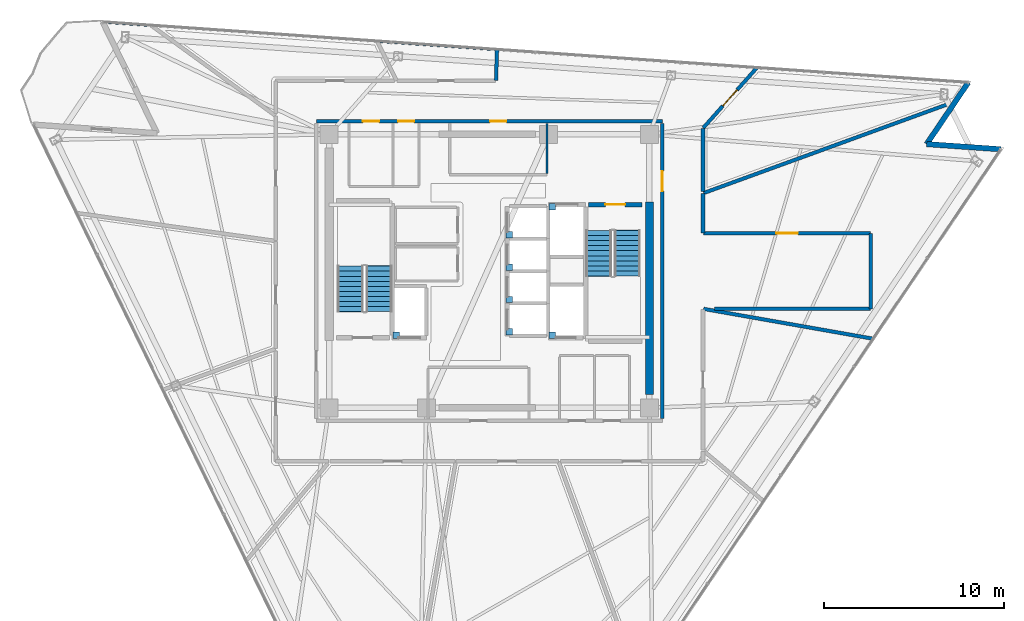
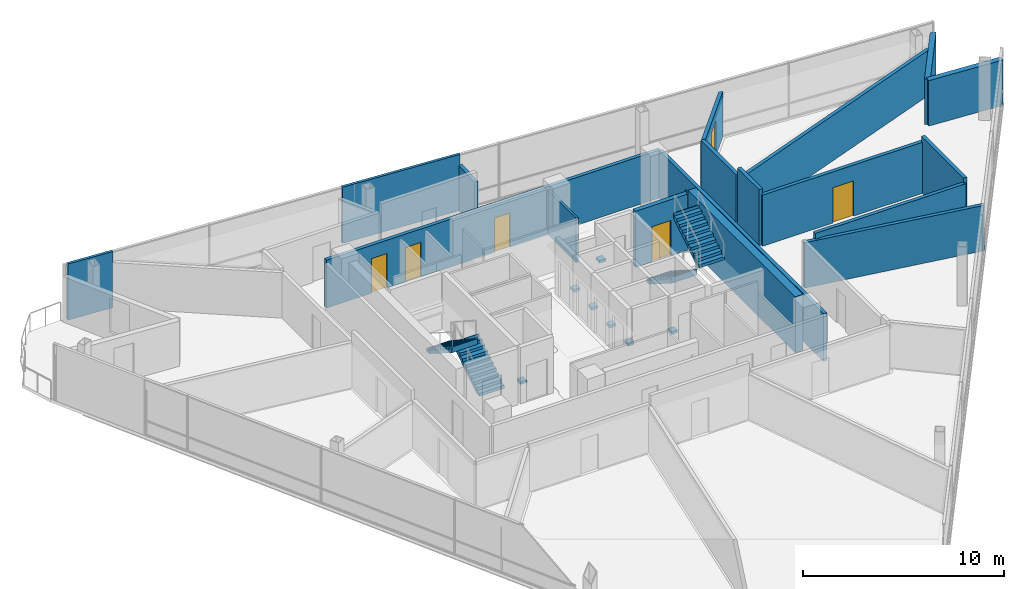
# One storey, part 11 of 14: 18 walls, 7 discrete accessories, 7 doors, 4 stair flights, 7 openings, 2 elements without a shape of their own.
"""IFC4 building model written with IfcOpenShell, lengths in metres."""

from ifc_helpers import new_model, si_unit, direction, frame, frame_2d, origin, origin_2d, place, context, subcontext, project, spatial, polyline, rectangle, outline, extrude, material, layer, layer_set, type_object, element, fill, aggregate, save


model = new_model("IFC4")

# Units and contexts
model_context = context("Model", 3, precision=1e-05, world=origin(), true_north=direction((0.0, 1.0)))
body_context = subcontext(model_context, "Body", "Model", "MODEL_VIEW")
ifc_project = project(units=[si_unit("LENGTHUNIT", "METRE"), si_unit("AREAUNIT", "SQUARE_METRE"), si_unit("VOLUMEUNIT", "CUBIC_METRE"), si_unit("PLANEANGLEUNIT", "RADIAN"), si_unit("MASSUNIT", "GRAM", prefix="KILO")], contexts=[model_context])

# Site, building, storey
site_placement = place(None, origin())
site = spatial("IfcSite", under=ifc_project, at=site_placement, CompositionType="ELEMENT")
building_placement = place(site_placement, origin())
building = spatial("IfcBuilding", under=site, at=building_placement, Name="Tharavind Bronze Gate", CompositionType="ELEMENT")
storey_placement = place(building_placement, frame((0.0, 0.0, 237.85009765625)))
storey = spatial("IfcBuildingStorey", under=building, at=storey_placement, Name="L61", CompositionType="ELEMENT", Elevation=237.85009765625)

# Walls
ifc_material_1 = material(Name="Concrete C40/50", Category="concrete")
ifc_layer_1 = layer(ifc_material_1, 0.300048828125)
ifc_layer_set_1 = layer_set([ifc_layer_1], Name="Concrete C40/50")
wall_type_1 = type_object("IfcWallType", Name="EXTERIOR SPANDREL WALL 300", PredefinedType="STANDARD", material=ifc_layer_set_1)
for number, where, z_axis, x_axis, name in (
    (1, (28.430419921875, 6.77001953125, 0.0), (0.0, 0.0, 1.0), (-0.997561808984, 0.069788518089, 0.0), "L61 notch cheek wall 3A"),
    (2, (24.3125, 7.05810546875, 0.0), (0.0, 0.0, 1.0), (0.559209737351, 0.829026217711, 0.0), "L61 notch cheek wall 3B"),
):
    element("IfcWall", number, at=place(storey_placement, frame(where, z_axis=z_axis, x_axis=x_axis)), inside=storey, type_object=wall_type_1, Name=name, PredefinedType="STANDARD", context=body_context, shape_type="SweptSolid", body=[
        extrude(rectangle(XDim=4.1279296875, YDim=0.300048828125, at=frame_2d((2.06396484375, 0.0))), origin(), (0.0, 0.0, 1.0), 2.764892578125),
    ])

# Wall, openings, doors
ifc_material_2 = material(Name="Aerated Concrete Block", Category="concrete")
ifc_layer_2 = layer(ifc_material_2, 0.199951171875)
ifc_layer_set_2 = layer_set([ifc_layer_2], Name="Aerated Concrete Block")
wall_type_2 = type_object("IfcWallType", Name="FIRE RATED PARTITION 200", PredefinedType="PARTITIONING", material=ifc_layer_set_2)
wall_1_placement = place(storey_placement, frame((9.6201171875, 8.320068359375, 0.0), z_axis=(0.0, 0.0, 1.0), x_axis=(-1.0, 0.0, 0.0)))
wall_1 = element("IfcWall", 3, at=wall_1_placement, inside=storey, type_object=wall_type_2, Name="L61 north core corridor wall", PredefinedType="PARTITIONING", context=body_context, shape_type="SweptSolid", body=[
    extrude(rectangle(XDim=19.240234375, YDim=0.199951171875, at=frame_2d((9.6201171875, 0.0))), origin(), (0.0, 0.0, 1.0), 2.914794921875),
])
opening_1_placement = place(wall_1_placement, frame((8.669921875, 0.0, 0.0)))
opening_1 = element("IfcOpeningElement", 4, at=opening_1_placement, cuts=wall_1, Name="Opening ID07", PredefinedType="OPENING", context=body_context, shape_type="SweptSolid", body=[
    extrude(rectangle(XDim=0.89990234375, YDim=2.10009765625, at=frame_2d((0.449951171875, 1.050048828125))), frame((0.0, 0.11009765625, 0.0), z_axis=(0.0, -1.0, 0.0), x_axis=(1.0, 0.0, 0.0)), (0.0, 0.0, 1.0), 0.219951171875),
])
opening_2_placement = place(wall_1_placement, frame((15.7451171875, 0.0, 0.0)))
opening_2 = element("IfcOpeningElement", 5, at=opening_2_placement, cuts=wall_1, Name="Opening ID07", PredefinedType="OPENING", context=body_context, shape_type="SweptSolid", body=[
    extrude(rectangle(XDim=0.89990234375, YDim=2.10009765625, at=frame_2d((0.449951171875, 1.050048828125))), frame((0.0, 0.11009765625, 0.0), z_axis=(0.0, -1.0, 0.0), x_axis=(1.0, 0.0, 0.0)), (0.0, 0.0, 1.0), 0.219951171875),
])
opening_3_placement = place(wall_1_placement, frame((13.794921875, 0.0, 0.0)))
opening_3 = element("IfcOpeningElement", 6, at=opening_3_placement, cuts=wall_1, Name="Opening ID07", PredefinedType="OPENING", context=body_context, shape_type="SweptSolid", body=[
    extrude(rectangle(XDim=0.89990234375, YDim=2.10009765625, at=frame_2d((0.449951171875, 1.050048828125))), frame((0.0, 0.11009765625, 0.0), z_axis=(0.0, -1.0, 0.0), x_axis=(1.0, 0.0, 0.0)), (0.0, 0.0, 1.0), 0.219951171875),
])
ifc_material_3 = material(Name="Galvanised Fire Steel", Category="steel")
door_type_1 = type_object("IfcDoorType", Name="PLANT AND RISER FIRE DOOR 900X2100", OperationType="SINGLE_SWING_LEFT", PredefinedType="DOOR", material=ifc_material_3)
door_1_placement = place(opening_1_placement, origin())
door_1 = element("IfcDoor", 7, at=door_1_placement, inside=storey, type_object=door_type_1, Name="L61 Core Avionics Room fire door", OperationType="SINGLE_SWING_LEFT", OverallHeight=2.10009765625, OverallWidth=0.89990234375, PredefinedType="DOOR", context=body_context, shape_type="SweptSolid", body=[
    extrude(rectangle(XDim=0.89990234375, YDim=2.10009765625, at=frame_2d((0.449951171875, 1.050048828125))), frame((0.0, 0.02490234375, 0.0), z_axis=(0.0, -1.0, 0.0), x_axis=(1.0, 0.0, 0.0)), (0.0, 0.0, 1.0), 0.050048828125),
])
fill(opening_1, door_1)
door_2_placement = place(opening_2_placement, origin())
door_2 = element("IfcDoor", 8, at=door_2_placement, inside=storey, type_object=door_type_1, Name="L61 Electrical Metering Room fire door", OperationType="SINGLE_SWING_LEFT", OverallHeight=2.10009765625, OverallWidth=0.89990234375, PredefinedType="DOOR", context=body_context, shape_type="SweptSolid", body=[
    extrude(rectangle(XDim=0.89990234375, YDim=2.10009765625, at=frame_2d((0.449951171875, 1.050048828125))), frame((0.0, 0.02490234375, 0.0), z_axis=(0.0, -1.0, 0.0), x_axis=(1.0, 0.0, 0.0)), (0.0, 0.0, 1.0), 0.050048828125),
])
fill(opening_2, door_2)
door_3_placement = place(opening_3_placement, origin())
door_3 = element("IfcDoor", 9, at=door_3_placement, inside=storey, type_object=door_type_1, Name="L61 Linen Cupboard fire door", OperationType="SINGLE_SWING_LEFT", OverallHeight=2.10009765625, OverallWidth=0.89990234375, PredefinedType="DOOR", context=body_context, shape_type="SweptSolid", body=[
    extrude(rectangle(XDim=0.89990234375, YDim=2.10009765625, at=frame_2d((0.449951171875, 1.050048828125))), frame((0.0, 0.02490234375, 0.0), z_axis=(0.0, -1.0, 0.0), x_axis=(1.0, 0.0, 0.0)), (0.0, 0.0, 1.0), 0.050048828125),
])
fill(opening_3, door_3)

# Wall, opening, door
wall_2_placement = place(storey_placement, frame((9.6201171875, -8.199951171875, 0.0), z_axis=(0.0, 0.0, 1.0), x_axis=(0.0, 1.0, 0.0)))
wall_2 = element("IfcWall", 10, at=wall_2_placement, inside=storey, type_object=wall_type_2, Name="L61 east core corridor wall", PredefinedType="PARTITIONING", context=body_context, shape_type="SweptSolid", body=[
    extrude(rectangle(XDim=16.39990234375, YDim=0.199951171875, at=frame_2d((8.199951171875, 0.0))), origin(), (0.0, 0.0, 1.0), 2.914794921875),
])
opening_4_placement = place(wall_2_placement, frame((12.64990234375, 0.0, 0.0)))
opening_4 = element("IfcOpeningElement", 11, at=opening_4_placement, cuts=wall_2, Name="Opening ID01", PredefinedType="OPENING", context=body_context, shape_type="SweptSolid", body=[
    extrude(rectangle(XDim=1.10009765625, YDim=2.14990234375, at=frame_2d((0.550048828125, 1.074951171875))), frame((0.0, 0.11009765625, 0.0), z_axis=(0.0, -1.0, 0.0), x_axis=(1.0, 0.0, 0.0)), (0.0, 0.0, 1.0), 0.219951171875),
])
ifc_material_4 = material(Name="Fire-Rated Steel", Category="steel")
door_type_2 = type_object("IfcDoorType", Name="STAIR CORE FIRE DOOR 1100X2150", OperationType="SINGLE_SWING_LEFT", PredefinedType="DOOR", material=ifc_material_4)
door_4_placement = place(opening_4_placement, frame((1.10009765625, 0.0, 0.0), z_axis=(0.0, 0.0, 1.0), x_axis=(-1.0, 0.0, 0.0)))
door_4 = element("IfcDoor", 12, at=door_4_placement, inside=storey, type_object=door_type_2, Name="L61 north east stair lobby fire door", OperationType="SINGLE_SWING_LEFT", OverallHeight=2.14990234375, OverallWidth=1.10009765625, PredefinedType="DOOR", context=body_context, shape_type="SweptSolid", body=[
    extrude(rectangle(XDim=1.10009765625, YDim=2.14990234375, at=frame_2d((0.550048828125, 1.074951171875))), frame((0.0, 0.02490234375, 0.0), z_axis=(0.0, -1.0, 0.0), x_axis=(1.0, 0.0, 0.0)), (0.0, 0.0, 1.0), 0.050048828125),
])
fill(opening_4, door_4)

# Walls
wall_3_placement = place(storey_placement, frame((0.42919921875, 12.28759765625, 0.0), z_axis=(0.0, 0.0, 1.0), x_axis=(-0.034926473635, -0.999389884599, 0.0)))
element("IfcWall", 13, at=wall_3_placement, inside=storey, type_object=wall_type_2, Name="L61 Accessible Toilet partition", PredefinedType="PARTITIONING", context=body_context, shape_type="SweptSolid", body=[
    extrude(rectangle(XDim=1.6845703125, YDim=0.199951171875, at=frame_2d((0.84228515625, 0.0))), origin(), (0.0, 0.0, 1.0), 2.764892578125),
])
wall_4_placement = place(storey_placement, frame((25.665771484375, 9.341552734375, 0.0), z_axis=(0.0, 0.0, 1.0), x_axis=(-0.939693046096, -0.342018974792, 0.0)))
element("IfcWall", 14, at=wall_4_placement, inside=storey, type_object=wall_type_2, Name="L61 Meeting Room 1 partition", PredefinedType="PARTITIONING", context=body_context, shape_type="SweptSolid", body=[
    extrude(rectangle(XDim=14.634765625, YDim=0.199951171875, at=frame_2d((7.3173828125, 0.0))), origin(), (0.0, 0.0, 1.0), 2.764892578125),
])
wall_5_placement = place(storey_placement, frame((11.8798828125, 4.435791015625, 0.0), z_axis=(0.0, 0.0, 1.0), x_axis=(0.0, 1.0, 0.0)))
element("IfcWall", 15, at=wall_5_placement, inside=storey, type_object=wall_type_2, Name="L61 Meeting Room 1 partition", PredefinedType="PARTITIONING", context=body_context, shape_type="SweptSolid", body=[
    extrude(rectangle(XDim=3.50048828125, YDim=0.199951171875, at=frame_2d((1.750244140625, 0.0))), origin(), (0.0, 0.0, 1.0), 2.914794921875),
])

# Wall, opening, door
wall_6_placement = place(storey_placement, frame((11.88623046875, 7.952880859375, 0.0), z_axis=(0.0, 0.0, 1.0), x_axis=(0.665672988236, 0.746243574668, 0.0)))
wall_6 = element("IfcWall", 16, at=wall_6_placement, inside=storey, type_object=wall_type_2, Name="L61 Meeting Room 1 partition", PredefinedType="PARTITIONING", context=body_context, shape_type="SweptSolid", body=[
    extrude(rectangle(XDim=4.487548828125, YDim=0.199951171875, at=frame_2d((2.24365234375, 0.0))), origin(), (0.0, 0.0, 1.0), 2.764892578125),
])
opening_5_placement = place(wall_6_placement, frame((1.64404296875, 0.0, 0.0)))
opening_5 = element("IfcOpeningElement", 17, at=opening_5_placement, cuts=wall_6, Name="Opening ID05", PredefinedType="OPENING", context=body_context, shape_type="SweptSolid", body=[
    extrude(rectangle(XDim=1.199951171875, YDim=2.14990234375, at=frame_2d((0.60009765625, 1.074951171875))), frame((0.0, 0.11009765625, 0.0), z_axis=(0.0, -1.0, 0.0), x_axis=(1.0, 0.0, 0.0)), (0.0, 0.0, 1.0), 0.219951171875),
])
ifc_material_5 = material(Name="Acoustic Laminated Glass", Category="glass")
door_type_3 = type_object("IfcDoorType", Name="MEETING ROOM GLAZED DOOR 1200X2150", OperationType="SINGLE_SWING_LEFT", PredefinedType="DOOR", material=ifc_material_5)
door_5_placement = place(opening_5_placement, origin())
door_5 = element("IfcDoor", 18, at=door_5_placement, inside=storey, type_object=door_type_3, Name="L61 Meeting Room 1 door", OperationType="SINGLE_SWING_LEFT", OverallHeight=2.14990234375, OverallWidth=1.199951171875, PredefinedType="DOOR", context=body_context, shape_type="SweptSolid", body=[
    extrude(rectangle(XDim=1.199951171875, YDim=2.14990234375, at=frame_2d((0.60009765625, 1.074951171875))), frame((0.0, 0.02490234375, 0.0), z_axis=(0.0, -1.0, 0.0), x_axis=(1.0, 0.0, 0.0)), (0.0, 0.0, 1.0), 0.050048828125),
])
fill(opening_5, door_5)

# Walls
wall_7_placement = place(storey_placement, frame((11.911865234375, -2.100341796875, 0.0), z_axis=(0.0, 0.0, 1.0), x_axis=(0.984808741382, -0.17364257225, 0.0)))
element("IfcWall", 19, at=wall_7_placement, inside=storey, type_object=wall_type_2, Name="L61 Reference Archive Store partition", PredefinedType="PARTITIONING", context=body_context, shape_type="SweptSolid", body=[
    extrude(rectangle(XDim=9.560791015625, YDim=0.199951171875, at=frame_2d((4.7802734375, 0.0))), origin(), (0.0, 0.0, 1.0), 2.764892578125),
])
wall_8_placement = place(storey_placement, frame((21.199951171875, -2.099365234375, 0.0), z_axis=(0.0, 0.0, 1.0), x_axis=(0.0, 1.0, 0.0)))
element("IfcWall", 20, at=wall_8_placement, inside=storey, type_object=wall_type_2, Name="L61 Client Lounge partition", PredefinedType="PARTITIONING", context=body_context, shape_type="SweptSolid", body=[
    extrude(rectangle(XDim=4.19873046875, YDim=0.199951171875, at=frame_2d((2.099365234375, 0.0))), origin(), (0.0, 0.0, 1.0), 3.419921875),
])

# Wall, opening, door
wall_9_placement = place(storey_placement, frame((21.199462890625, 2.10009765625, 0.0), z_axis=(0.0, 0.0, 1.0), x_axis=(-1.0, 0.0, 0.0)))
wall_9 = element("IfcWall", 21, at=wall_9_placement, inside=storey, type_object=wall_type_2, Name="L61 Client Lounge partition", PredefinedType="PARTITIONING", context=body_context, shape_type="SweptSolid", body=[
    extrude(rectangle(XDim=9.29443359375, YDim=0.199951171875, at=frame_2d((4.647216796875, 0.0))), origin(), (0.0, 0.0, 1.0), 3.114990234375),
])
opening_6_placement = place(wall_9_placement, frame((4.047119140625, 0.0, 0.0)))
opening_6 = element("IfcOpeningElement", 22, at=opening_6_placement, cuts=wall_9, Name="Opening ID05", PredefinedType="OPENING", context=body_context, shape_type="SweptSolid", body=[
    extrude(rectangle(XDim=1.199951171875, YDim=2.14990234375, at=frame_2d((0.60009765625, 1.074951171875))), frame((0.0, 0.11009765625, 0.0), z_axis=(0.0, -1.0, 0.0), x_axis=(1.0, 0.0, 0.0)), (0.0, 0.0, 1.0), 0.219951171875),
])
door_6_placement = place(opening_6_placement, origin())
door_6 = element("IfcDoor", 23, at=door_6_placement, inside=storey, type_object=door_type_3, Name="L61 Client Lounge door", OperationType="SINGLE_SWING_LEFT", OverallHeight=2.14990234375, OverallWidth=1.199951171875, PredefinedType="DOOR", context=body_context, shape_type="SweptSolid", body=[
    extrude(rectangle(XDim=1.199951171875, YDim=2.14990234375, at=frame_2d((0.60009765625, 1.074951171875))), frame((0.0, 0.02490234375, 0.0), z_axis=(0.0, -1.0, 0.0), x_axis=(1.0, 0.0, 0.0)), (0.0, 0.0, 1.0), 0.050048828125),
])
fill(opening_6, door_6)

# Walls
wall_10_placement = place(storey_placement, frame((11.8798828125, 2.125, 0.0), z_axis=(0.0, 0.0, 1.0), x_axis=(0.0, 1.0, 0.0)))
element("IfcWall", 24, at=wall_10_placement, inside=storey, type_object=wall_type_2, Name="L61 Client Lounge partition", PredefinedType="PARTITIONING", context=body_context, shape_type="SweptSolid", body=[
    extrude(rectangle(XDim=2.181396484375, YDim=0.199951171875, at=frame_2d((1.0908203125, 0.0))), origin(), (0.0, 0.0, 1.0), 3.419921875),
])
wall_11_placement = place(storey_placement, frame((12.51416015625, -2.10009765625, 0.0), z_axis=(0.0, 0.0, 1.0), x_axis=(1.0, 0.0, 0.0)))
element("IfcWall", 25, at=wall_11_placement, inside=storey, type_object=wall_type_2, Name="L61 Client Lounge partition", PredefinedType="PARTITIONING", context=body_context, shape_type="SweptSolid", body=[
    extrude(rectangle(XDim=8.685302734375, YDim=0.199951171875, at=frame_2d((4.3427734375, 0.0))), origin(), (0.0, 0.0, 1.0), 3.114990234375),
])
ifc_material_6 = material(Name="Metal Stud Gypsum Partition", Category="gypsum")
ifc_layer_3 = layer(ifc_material_6, 0.1201171875)
ifc_layer_set_3 = layer_set([ifc_layer_3], Name="Metal Stud Gypsum Partition")
wall_type_3 = type_object("IfcWallType", Name="INTERIOR PARTITION WALL 120", PredefinedType="PARTITIONING", material=ifc_layer_set_3)
wall_12_placement = place(storey_placement, frame((3.199951171875, 5.4150390625, 0.0), z_axis=(0.0, 0.0, 1.0), x_axis=(0.0, 1.0, 0.0)))
element("IfcWall", 26, at=wall_12_placement, inside=storey, type_object=wall_type_3, Name="L61 Core Avionics Room partition 2", PredefinedType="PARTITIONING", context=body_context, shape_type="SweptSolid", body=[
    extrude(rectangle(XDim=2.800048828125, YDim=0.1201171875, at=frame_2d((1.39990234375, 0.0))), origin(), (0.0, 0.0, 1.0), 2.71484375),
])
ifc_material_7 = material(Name="Twin Stud Acoustic Gypsum", Category="gypsum")
ifc_layer_4 = layer(ifc_material_7, 0.14990234375)
ifc_layer_set_4 = layer_set([ifc_layer_4], Name="Twin Stud Acoustic Gypsum")
wall_type_4 = type_object("IfcWallType", Name="INTERIOR PARTITION WALL 150", PredefinedType="PARTITIONING", material=ifc_layer_set_4)
wall_13_placement = place(storey_placement, frame((-6.111083984375, 12.76904296875, 0.0), z_axis=(0.0, 0.0, 1.0), x_axis=(0.997565678714, -0.069733181857, 0.0)))
element("IfcWall", 27, at=wall_13_placement, inside=storey, type_object=wall_type_4, Name="L61 Accessible Toilet partition", PredefinedType="PARTITIONING", context=body_context, shape_type="SweptSolid", body=[
    extrude(rectangle(XDim=6.532958984375, YDim=0.14990234375, at=frame_2d((3.2666015625, 0.0))), origin(), (0.0, 0.0, 1.0), 3.419921875),
])
wall_14_placement = place(storey_placement, frame((-21.311279296875, 13.83203125, 0.0), z_axis=(0.0, 0.0, 1.0), x_axis=(0.997559711148, -0.06981849823, 0.0)))
element("IfcWall", 28, at=wall_14_placement, inside=storey, type_object=wall_type_4, Name="L61 Public Restrooms Block partition", PredefinedType="PARTITIONING", context=body_context, shape_type="SweptSolid", body=[
    extrude(rectangle(XDim=2.51416015625, YDim=0.14990234375, at=frame_2d((1.257080078125, 0.0))), origin(), (0.0, 0.0, 1.0), 3.419921875),
])

# Wall, opening, door
ifc_material_8 = material(Name="Concrete C50/60", Category="concrete")
ifc_layer_5 = layer(ifc_material_8, 0.25)
ifc_layer_set_5 = layer_set([ifc_layer_5], Name="Concrete C50/60")
wall_type_5 = type_object("IfcWallType", Name="RC CORE SHEAR WALL 250", PredefinedType="SHEAR", material=ifc_layer_set_5)
wall_15_placement = place(storey_placement, frame((5.5, 3.699951171875, 0.0), z_axis=(0.0, 0.0, 1.0), x_axis=(1.0, 0.0, 0.0)))
wall_15 = element("IfcWall", 29, at=wall_15_placement, inside=storey, type_object=wall_type_5, Name="L61 ST2 shaft north wall", PredefinedType="SHEAR", context=body_context, shape_type="SweptSolid", body=[
    extrude(rectangle(XDim=3.0, YDim=0.25, at=frame_2d((1.5, 0.0))), origin(), (0.0, 0.0, 1.0), 3.419921875),
])
opening_7_placement = place(wall_15_placement, frame((0.949951171875, 0.0, 0.0)))
opening_7 = element("IfcOpeningElement", 30, at=opening_7_placement, cuts=wall_15, Name="Opening ID01", PredefinedType="OPENING", context=body_context, shape_type="SweptSolid", body=[
    extrude(rectangle(XDim=1.10009765625, YDim=2.14990234375, at=frame_2d((0.550048828125, 1.074951171875))), frame((0.0, 0.135, 0.0), z_axis=(0.0, -1.0, 0.0), x_axis=(1.0, 0.0, 0.0)), (0.0, 0.0, 1.0), 0.27),
])
door_7_placement = place(opening_7_placement, frame((1.10009765625, 0.0, 0.0), z_axis=(0.0, 0.0, 1.0), x_axis=(-1.0, 0.0, 0.0)))
door_7 = element("IfcDoor", 31, at=door_7_placement, inside=storey, type_object=door_type_2, Name="L61 exit stair ST2 fire door", OperationType="SINGLE_SWING_LEFT", OverallHeight=2.14990234375, OverallWidth=1.10009765625, PredefinedType="DOOR", context=body_context, shape_type="SweptSolid", body=[
    extrude(rectangle(XDim=1.10009765625, YDim=2.14990234375, at=frame_2d((0.550048828125, 1.074951171875))), frame((0.0, 0.02490234375, 0.0), z_axis=(0.0, -1.0, 0.0), x_axis=(1.0, 0.0, 0.0)), (0.0, 0.0, 1.0), 0.050048828125),
])
fill(opening_7, door_7)

# Wall
ifc_material_9 = material(Name="Concrete C60/75", Category="concrete")
ifc_layer_6 = layer(ifc_material_9, 0.449951171875)
ifc_layer_set_6 = layer_set([ifc_layer_6], Name="Concrete C60/75")
wall_type_6 = type_object("IfcWallType", Name="RC CORE SHEAR WALL 450", PredefinedType="SHEAR", material=ifc_layer_set_6)
wall_16_placement = place(storey_placement, frame((8.89990234375, -6.85009765625, 0.0), z_axis=(0.0, 0.0, 1.0), x_axis=(0.0, 1.0, 0.0)))
element("IfcWall", 32, at=wall_16_placement, inside=storey, type_object=wall_type_6, Name="L61 east core shear wall", PredefinedType="SHEAR", context=body_context, shape_type="SweptSolid", body=[
    extrude(rectangle(XDim=10.7001953125, YDim=0.449951171875, at=frame_2d((5.35009765625, 0.0))), origin(), (0.0, 0.0, 1.0), 3.419921875),
])

# Stair, stair flights
stair_type = type_object("IfcStairType", Name="CORE HALF TURN STAIR 1450", PredefinedType="HALF_TURN_STAIR", material=ifc_material_1)
stair_1_placement = place(storey_placement, origin())
stair_1 = element("IfcStair", 33, at=stair_1_placement, inside=storey, type_object=stair_type, Name="L61 Protected Exit Stair ST1", PredefinedType="HALF_TURN_STAIR")
stair_flight_type = type_object("IfcStairFlightType", Name="CORE STAIR FLIGHT 1450", PredefinedType="STRAIGHT", material=ifc_material_1)
stair_flight_1_placement = place(storey_placement, frame((-6.125, -2.25, 0.0), z_axis=(0.0, 0.0, 1.0), x_axis=(0.0, 1.0, 0.0)))
stair_flight_1 = element("IfcStairFlight", 34, at=stair_flight_1_placement, type_object=stair_flight_type, Name="ST1 flight 1", NumberOfRisers=10, NumberOfTreads=9, PredefinedType="STRAIGHT", RiserHeight=0.18, TreadLength=0.28, context=body_context, shape_type="SweptSolid", body=[
    extrude(outline(polyline([(0.0, 0.0), (0.0, 0.179931640625), (0.280029296875, 0.179931640625), (0.280029296875, 0.360107421875), (0.56005859375, 0.360107421875), (0.56005859375, 0.5400390625), (0.840087890625, 0.5400390625), (0.840087890625, 0.719970703125), (1.1201171875, 0.719970703125), (1.1201171875, 0.89990234375), (1.39990234375, 0.89990234375), (1.39990234375, 1.080078125), (1.679931640625, 1.080078125), (1.679931640625, 1.260009765625), (1.9599609375, 1.260009765625), (1.9599609375, 1.43994140625), (2.239990234375, 1.43994140625), (2.239990234375, 1.6201171875), (2.52001953125, 1.6201171875), (2.52001953125, 1.800048828125), (2.555908203125, 1.800048828125), (2.555908203125, 1.44189453125), (0.277099609375, 0.0), (0.0, 0.0)])), frame((0.0, 0.72509765625, 0.0), z_axis=(0.0, -1.0, 0.0), x_axis=(1.0, 0.0, 0.0)), (0.0, 0.0, 1.0), 1.449951171875),
])
stair_flight_2_placement = place(storey_placement, frame((-7.72509765625, 0.27001953125, 1.7998046875), z_axis=(0.0, 0.0, 1.0), x_axis=(0.0, -1.0, 0.0)))
stair_flight_2 = element("IfcStairFlight", 35, at=stair_flight_2_placement, type_object=stair_flight_type, Name="ST1 flight 2", NumberOfRisers=10, NumberOfTreads=9, PredefinedType="STRAIGHT", RiserHeight=0.18, TreadLength=0.28, context=body_context, shape_type="SweptSolid", body=[
    extrude(outline(polyline([(0.0, 0.0), (0.0, 0.179931640625), (0.280029296875, 0.179931640625), (0.280029296875, 0.360107421875), (0.56005859375, 0.360107421875), (0.56005859375, 0.5400390625), (0.840087890625, 0.5400390625), (0.840087890625, 0.719970703125), (1.1201171875, 0.719970703125), (1.1201171875, 0.89990234375), (1.39990234375, 0.89990234375), (1.39990234375, 1.080078125), (1.679931640625, 1.080078125), (1.679931640625, 1.260009765625), (1.9599609375, 1.260009765625), (1.9599609375, 1.43994140625), (2.239990234375, 1.43994140625), (2.239990234375, 1.6201171875), (2.52001953125, 1.6201171875), (2.52001953125, 1.800048828125), (2.555908203125, 1.800048828125), (2.555908203125, 1.44189453125), (0.277099609375, 0.0), (0.0, 0.0)])), frame((0.0, 0.72509765625, 0.0), z_axis=(0.0, -1.0, 0.0), x_axis=(1.0, 0.0, 0.0)), (0.0, 0.0, 1.0), 1.449951171875),
])
aggregate(stair_1, [stair_flight_1, stair_flight_2])

stair_2_placement = place(storey_placement, origin())
stair_2 = element("IfcStair", 36, at=stair_2_placement, inside=storey, type_object=stair_type, Name="L61 Protected Exit Stair ST2", PredefinedType="HALF_TURN_STAIR")
stair_flight_3_placement = place(storey_placement, frame((6.074951171875, 2.25, 0.0), z_axis=(0.0, 0.0, 1.0), x_axis=(0.0, -1.0, 0.0)))
stair_flight_3 = element("IfcStairFlight", 37, at=stair_flight_3_placement, type_object=stair_flight_type, Name="ST2 flight 1", NumberOfRisers=10, NumberOfTreads=9, PredefinedType="STRAIGHT", RiserHeight=0.18, TreadLength=0.28, context=body_context, shape_type="SweptSolid", body=[
    extrude(outline(polyline([(0.0, 0.0), (0.0, 0.179931640625), (0.280029296875, 0.179931640625), (0.280029296875, 0.360107421875), (0.56005859375, 0.360107421875), (0.56005859375, 0.5400390625), (0.840087890625, 0.5400390625), (0.840087890625, 0.719970703125), (1.1201171875, 0.719970703125), (1.1201171875, 0.89990234375), (1.39990234375, 0.89990234375), (1.39990234375, 1.080078125), (1.679931640625, 1.080078125), (1.679931640625, 1.260009765625), (1.9599609375, 1.260009765625), (1.9599609375, 1.43994140625), (2.239990234375, 1.43994140625), (2.239990234375, 1.6201171875), (2.52001953125, 1.6201171875), (2.52001953125, 1.800048828125), (2.555908203125, 1.800048828125), (2.555908203125, 1.44189453125), (0.277099609375, 0.0), (0.0, 0.0)])), frame((0.0, 0.72509765625, 0.0), z_axis=(0.0, -1.0, 0.0), x_axis=(1.0, 0.0, 0.0)), (0.0, 0.0, 1.0), 1.449951171875),
])
stair_flight_4_placement = place(storey_placement, frame((7.675048828125, -0.27001953125, 1.7998046875), z_axis=(0.0, 0.0, 1.0), x_axis=(0.0, 1.0, 0.0)))
stair_flight_4 = element("IfcStairFlight", 38, at=stair_flight_4_placement, type_object=stair_flight_type, Name="ST2 flight 2", NumberOfRisers=10, NumberOfTreads=9, PredefinedType="STRAIGHT", RiserHeight=0.18, TreadLength=0.28, context=body_context, shape_type="SweptSolid", body=[
    extrude(outline(polyline([(0.0, 0.0), (0.0, 0.179931640625), (0.280029296875, 0.179931640625), (0.280029296875, 0.360107421875), (0.56005859375, 0.360107421875), (0.56005859375, 0.5400390625), (0.840087890625, 0.5400390625), (0.840087890625, 0.719970703125), (1.1201171875, 0.719970703125), (1.1201171875, 0.89990234375), (1.39990234375, 0.89990234375), (1.39990234375, 1.080078125), (1.679931640625, 1.080078125), (1.679931640625, 1.260009765625), (1.9599609375, 1.260009765625), (1.9599609375, 1.43994140625), (2.239990234375, 1.43994140625), (2.239990234375, 1.6201171875), (2.52001953125, 1.6201171875), (2.52001953125, 1.800048828125), (2.555908203125, 1.800048828125), (2.555908203125, 1.44189453125), (0.277099609375, 0.0), (0.0, 0.0)])), frame((0.0, 0.72509765625, 0.0), z_axis=(0.0, -1.0, 0.0), x_axis=(1.0, 0.0, 0.0)), (0.0, 0.0, 1.0), 1.449951171875),
])
aggregate(stair_2, [stair_flight_3, stair_flight_4])

# Discrete accessories
ifc_material_10 = material(Name="Galvanised Steel S355", Category="steel")
discrete_accessory_type = type_object("IfcDiscreteAccessoryType", Name="LIFT GUIDE RAIL BRACKET", PredefinedType="BRACKET", material=ifc_material_10)
for number, where, z_axis, x_axis, name in (
    (39, (1.1201171875, -3.3798828125, 1.1201171875), (0.0, 0.0, 1.0), (1.0, 0.0, 0.0), "Lift PL9 guide rail bracket at L61"),
    (40, (1.1201171875, -1.580078125, 1.1201171875), (0.0, 0.0, 1.0), (1.0, 0.0, 0.0), "Lift PL10 guide rail bracket at L61"),
    (41, (1.1201171875, 0.219970703125, 1.1201171875), (0.0, 0.0, 1.0), (1.0, 0.0, 0.0), "Lift PL11 guide rail bracket at L61"),
    (42, (1.1201171875, 2.02001953125, 1.1201171875), (0.0, 0.0, 1.0), (1.0, 0.0, 0.0), "Lift PL12 guide rail bracket at L61"),
    (43, (-5.179931640625, -3.580078125, 1.1201171875), (0.0, 0.0, 1.0), (1.0, 0.0, 0.0), "Lift FFL1 guide rail bracket at L61"),
    (44, (3.5, 3.580078125, 1.1201171875), (0.0, 0.0, 1.0), (1.0, 0.0, 0.0), "Lift FFL2 guide rail bracket at L61"),
    (45, (3.5, -3.580078125, 1.1201171875), (0.0, 0.0, 1.0), (1.0, 0.0, 0.0), "Lift SVL1 guide rail bracket at L61"),
):
    element("IfcDiscreteAccessory", number, at=place(storey_placement, frame(where, z_axis=z_axis, x_axis=x_axis)), inside=storey, type_object=discrete_accessory_type, Name=name, PredefinedType="BRACKET", context=body_context, shape_type="SweptSolid", body=[
        extrude(rectangle(XDim=0.360107421875, YDim=0.360107421875, at=origin_2d()), origin(), (0.0, 0.0, 1.0), 0.159912109375),
    ])

save(model, "model.ifc")
